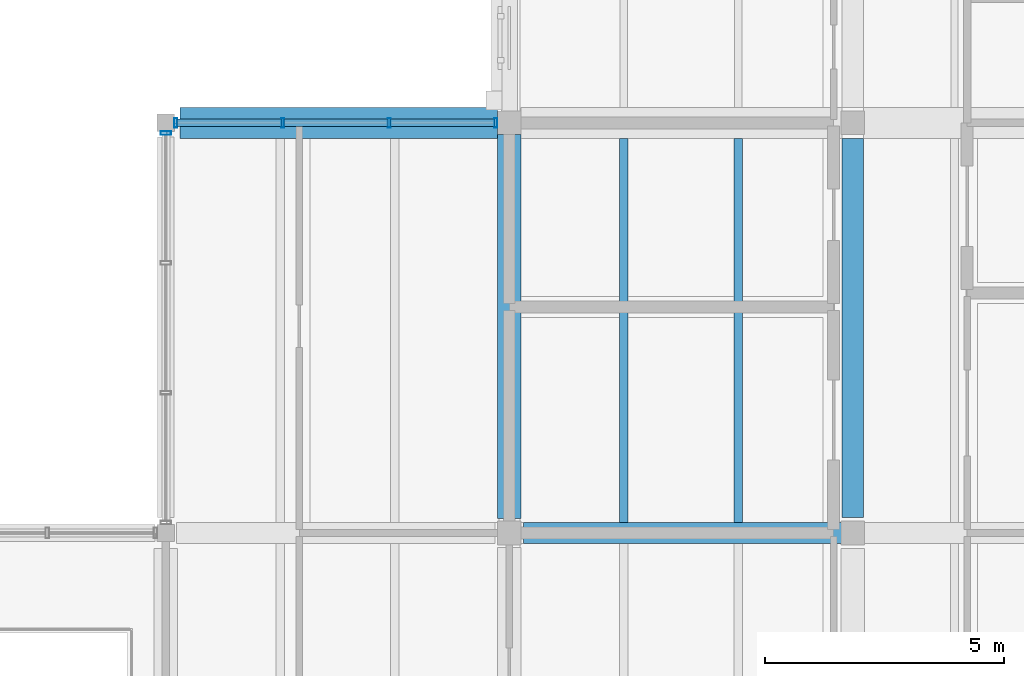
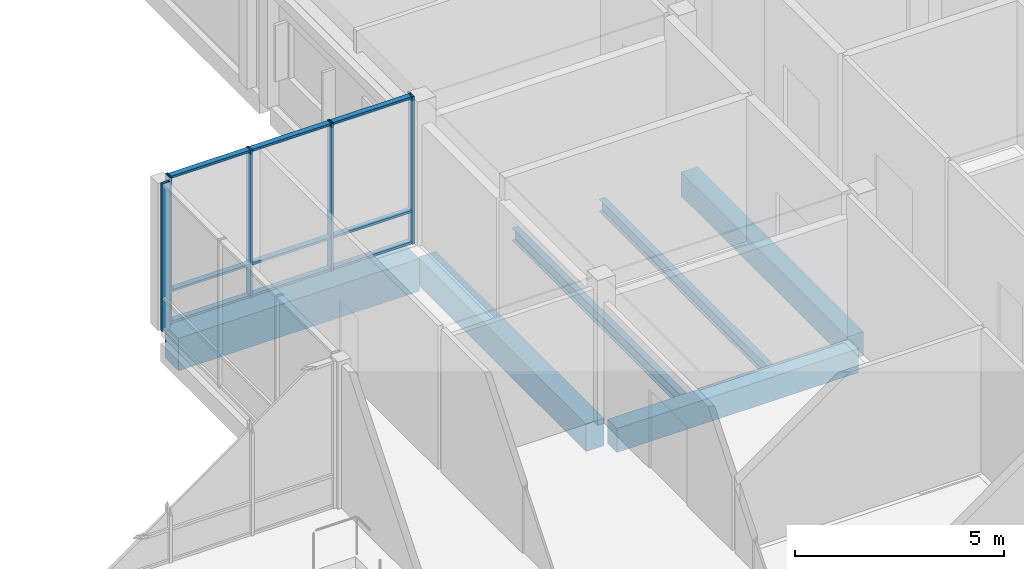
# One storey, part 80 of 146: 14 members, 6 beams, 2 elements without a shape of their own.
"""IFC4 building model written with IfcOpenShell, lengths in metres."""

from ifc_helpers import new_model, si_unit, direction, frame, origin, origin_2d, place, context, subcontext, project, spatial, rectangle, hollow_rectangle, i_section, extrude, material, material_profile, profile_set, type_object, element, aggregate, save


model = new_model("IFC4")

# Units and contexts
model_context = context("Model", 3, precision=1e-05, world=origin(), true_north=direction((0.0, 1.0)))
body_context = subcontext(model_context, "Body", "Model", "MODEL_VIEW")
ifc_project = project(units=[si_unit("LENGTHUNIT", "METRE"), si_unit("AREAUNIT", "SQUARE_METRE"), si_unit("VOLUMEUNIT", "CUBIC_METRE"), si_unit("PLANEANGLEUNIT", "RADIAN"), si_unit("MASSUNIT", "GRAM", prefix="KILO")], contexts=[model_context])

# Site, building, storey
site_placement = place(None, origin())
site = spatial("IfcSite", under=ifc_project, at=site_placement, CompositionType="ELEMENT")
building_placement = place(site_placement, origin())
building = spatial("IfcBuilding", under=site, at=building_placement, Name="Hawrajan Terrace Health Centre", CompositionType="ELEMENT")
storey_placement = place(building_placement, frame((0.0, 0.0, 4.5)))
storey = spatial("IfcBuildingStorey", under=building, at=storey_placement, Name="L01", CompositionType="ELEMENT", Elevation=4.5)

# Curtain wall, members
ifc_material_1 = material(Name="Anodized bronze aluminium and low-E solar glazing", Category="aluminium")
curtain_wall_type_1 = type_object("IfcCurtainWallType", Name="CW_CourtNS_SeriesC1", PredefinedType="USERDEFINED", material=ifc_material_1)
curtain_wall_1_placement = place(storey_placement, origin())
curtain_wall_1 = element("IfcCurtainWall", 1, at=curtain_wall_1_placement, inside=storey, type_object=curtain_wall_type_1, Name="Curtain wall CW-L01-103", ObjectType="UNITISED CURTAIN WALL", PredefinedType="USERDEFINED")
ifc_material_2 = material(Name="Anodized bronze aluminium 6063-T6", Category="aluminium")
ifc_material_profile_1 = material_profile(ifc_material_2, hollow_rectangle(XDim=0.06494140625, YDim=0.199951171875, WallThickness=0.00439453125, at=origin_2d()), Name="CW MUL 65x200")
ifc_profile_set_1 = profile_set([ifc_material_profile_1], Name="Anodized bronze aluminium 6063-T6")
member_type_1 = type_object("IfcMemberType", Name="CWMullion_65x200", PredefinedType="MULLION", material=ifc_profile_set_1)
member_1_placement = place(storey_placement, frame((108.012451171875, 45.39990234375, -0.0048828125), z_axis=(0.0, 0.0, 1.0), x_axis=(1.0, 0.0, 0.0)))
member_1 = element("IfcMember", 2, at=member_1_placement, type_object=member_type_1, Name="Mullion CW-L01-103-M1", PredefinedType="MULLION", context=body_context, shape_type="SweptSolid", body=[
    extrude(hollow_rectangle(XDim=0.06494140625, YDim=0.199951171875, WallThickness=0.00439453125, at=origin_2d()), origin(), (0.0, 0.0, 1.0), 4.309814453125),
])
member_2_placement = place(storey_placement, frame((110.24755859375, 45.39990234375, -0.0048828125), z_axis=(0.0, 0.0, 1.0), x_axis=(1.0, 0.0, 0.0)))
member_2 = element("IfcMember", 3, at=member_2_placement, type_object=member_type_1, Name="Mullion CW-L01-103-M2", PredefinedType="MULLION", context=body_context, shape_type="SweptSolid", body=[
    extrude(hollow_rectangle(XDim=0.06494140625, YDim=0.199951171875, WallThickness=0.00439453125, at=origin_2d()), origin(), (0.0, 0.0, 1.0), 4.309814453125),
])
member_3_placement = place(storey_placement, frame((112.482421875, 45.39990234375, -0.0048828125), z_axis=(0.0, 0.0, 1.0), x_axis=(1.0, 0.0, 0.0)))
member_3 = element("IfcMember", 4, at=member_3_placement, type_object=member_type_1, Name="Mullion CW-L01-103-M3", PredefinedType="MULLION", context=body_context, shape_type="SweptSolid", body=[
    extrude(hollow_rectangle(XDim=0.06494140625, YDim=0.199951171875, WallThickness=0.00439453125, at=origin_2d()), origin(), (0.0, 0.0, 1.0), 4.309814453125),
])
member_4_placement = place(storey_placement, frame((114.717529296875, 45.39990234375, -0.0048828125), z_axis=(0.0, 0.0, 1.0), x_axis=(1.0, 0.0, 0.0)))
member_4 = element("IfcMember", 5, at=member_4_placement, type_object=member_type_1, Name="Mullion CW-L01-103-M4", PredefinedType="MULLION", context=body_context, shape_type="SweptSolid", body=[
    extrude(hollow_rectangle(XDim=0.06494140625, YDim=0.199951171875, WallThickness=0.00439453125, at=origin_2d()), origin(), (0.0, 0.0, 1.0), 4.309814453125),
])

# Curtain wall, member
curtain_wall_type_2 = type_object("IfcCurtainWallType", Name="CW_CourtNS_SeriesC2", PredefinedType="USERDEFINED", material=ifc_material_1)
curtain_wall_2_placement = place(storey_placement, origin())
curtain_wall_2 = element("IfcCurtainWall", 6, at=curtain_wall_2_placement, inside=storey, type_object=curtain_wall_type_2, Name="Curtain wall CW-L01-104", ObjectType="UNITISED CURTAIN WALL", PredefinedType="USERDEFINED")
ifc_material_profile_2 = material_profile(ifc_material_2, hollow_rectangle(XDim=0.074951171875, YDim=0.219970703125, WallThickness=0.0048828125, at=origin_2d()), Name="CW MUL 75x220")
ifc_profile_set_2 = profile_set([ifc_material_profile_2], Name="Anodized bronze aluminium 6063-T6")
member_type_2 = type_object("IfcMemberType", Name="CWMullion_75x220", PredefinedType="MULLION", material=ifc_profile_set_2)
member_5_placement = place(storey_placement, frame((107.800048828125, 45.1826171875, -0.0048828125), z_axis=(0.0, 0.0, 1.0), x_axis=(0.0, 1.0, 0.0)))
member_5 = element("IfcMember", 7, at=member_5_placement, type_object=member_type_2, Name="Mullion CW-L01-104-M4", PredefinedType="MULLION", context=body_context, shape_type="SweptSolid", body=[
    extrude(hollow_rectangle(XDim=0.074951171875, YDim=0.219970703125, WallThickness=0.0048828125, at=origin_2d()), origin(), (0.0, 0.0, 1.0), 4.309814453125),
])
aggregate(curtain_wall_2, [member_5])

# Member
ifc_material_profile_3 = material_profile(ifc_material_2, hollow_rectangle(XDim=0.06494140625, YDim=0.14990234375, WallThickness=0.00390625, at=origin_2d()), Name="CW TRN 65x150")
ifc_profile_set_3 = profile_set([ifc_material_profile_3], Name="Anodized bronze aluminium 6063-T6")
member_type_3 = type_object("IfcMemberType", Name="CWTransom_65x150", PredefinedType="USERDEFINED", material=ifc_profile_set_3)
member_6_placement = place(storey_placement, frame((108.0390625, 45.39990234375, 0.032470703125), z_axis=(1.0, 0.0, 0.0), x_axis=(0.0, 0.0, 1.0)))
member_6 = element("IfcMember", 8, at=member_6_placement, type_object=member_type_3, Name="Transom CW-L01-103-T1-1", ObjectType="TRANSOM", PredefinedType="USERDEFINED", context=body_context, shape_type="SweptSolid", body=[
    extrude(hollow_rectangle(XDim=0.06494140625, YDim=0.14990234375, WallThickness=0.00390625, at=origin_2d()), origin(), (0.0, 0.0, 1.0), 2.181884765625),
])

member_7_placement = place(storey_placement, frame((108.0390625, 45.39990234375, 0.949951171875), z_axis=(1.0, 0.0, 0.0), x_axis=(0.0, 0.0, 1.0)))
member_7 = element("IfcMember", 9, at=member_7_placement, type_object=member_type_3, Name="Transom CW-L01-103-T1-2", ObjectType="TRANSOM", PredefinedType="USERDEFINED", context=body_context, shape_type="SweptSolid", body=[
    extrude(hollow_rectangle(XDim=0.06494140625, YDim=0.14990234375, WallThickness=0.00390625, at=origin_2d()), origin(), (0.0, 0.0, 1.0), 2.181884765625),
])

member_8_placement = place(storey_placement, frame((108.0390625, 45.39990234375, 4.267578125), z_axis=(1.0, 0.0, 0.0), x_axis=(0.0, 0.0, 1.0)))
member_8 = element("IfcMember", 10, at=member_8_placement, type_object=member_type_3, Name="Transom CW-L01-103-T1-3", ObjectType="TRANSOM", PredefinedType="USERDEFINED", context=body_context, shape_type="SweptSolid", body=[
    extrude(hollow_rectangle(XDim=0.06494140625, YDim=0.14990234375, WallThickness=0.00390625, at=origin_2d()), origin(), (0.0, 0.0, 1.0), 2.181884765625),
])

member_9_placement = place(storey_placement, frame((110.27392578125, 45.39990234375, 0.032470703125), z_axis=(1.0, 0.0, 0.0), x_axis=(0.0, 0.0, 1.0)))
member_9 = element("IfcMember", 11, at=member_9_placement, type_object=member_type_3, Name="Transom CW-L01-103-T2-1", ObjectType="TRANSOM", PredefinedType="USERDEFINED", context=body_context, shape_type="SweptSolid", body=[
    extrude(hollow_rectangle(XDim=0.06494140625, YDim=0.14990234375, WallThickness=0.00390625, at=origin_2d()), origin(), (0.0, 0.0, 1.0), 2.18212890625),
])

member_10_placement = place(storey_placement, frame((110.27392578125, 45.39990234375, 0.949951171875), z_axis=(1.0, 0.0, 0.0), x_axis=(0.0, 0.0, 1.0)))
member_10 = element("IfcMember", 12, at=member_10_placement, type_object=member_type_3, Name="Transom CW-L01-103-T2-2", ObjectType="TRANSOM", PredefinedType="USERDEFINED", context=body_context, shape_type="SweptSolid", body=[
    extrude(hollow_rectangle(XDim=0.06494140625, YDim=0.14990234375, WallThickness=0.00390625, at=origin_2d()), origin(), (0.0, 0.0, 1.0), 2.18212890625),
])

member_11_placement = place(storey_placement, frame((110.27392578125, 45.39990234375, 4.267578125), z_axis=(1.0, 0.0, 0.0), x_axis=(0.0, 0.0, 1.0)))
member_11 = element("IfcMember", 13, at=member_11_placement, type_object=member_type_3, Name="Transom CW-L01-103-T2-3", ObjectType="TRANSOM", PredefinedType="USERDEFINED", context=body_context, shape_type="SweptSolid", body=[
    extrude(hollow_rectangle(XDim=0.06494140625, YDim=0.14990234375, WallThickness=0.00390625, at=origin_2d()), origin(), (0.0, 0.0, 1.0), 2.18212890625),
])

member_12_placement = place(storey_placement, frame((112.509033203125, 45.39990234375, 0.032470703125), z_axis=(1.0, 0.0, 0.0), x_axis=(0.0, 0.0, 1.0)))
member_12 = element("IfcMember", 14, at=member_12_placement, type_object=member_type_3, Name="Transom CW-L01-103-T3-1", ObjectType="TRANSOM", PredefinedType="USERDEFINED", context=body_context, shape_type="SweptSolid", body=[
    extrude(hollow_rectangle(XDim=0.06494140625, YDim=0.14990234375, WallThickness=0.00390625, at=origin_2d()), origin(), (0.0, 0.0, 1.0), 2.181884765625),
])

member_13_placement = place(storey_placement, frame((112.509033203125, 45.39990234375, 0.949951171875), z_axis=(1.0, 0.0, 0.0), x_axis=(0.0, 0.0, 1.0)))
member_13 = element("IfcMember", 15, at=member_13_placement, type_object=member_type_3, Name="Transom CW-L01-103-T3-2", ObjectType="TRANSOM", PredefinedType="USERDEFINED", context=body_context, shape_type="SweptSolid", body=[
    extrude(hollow_rectangle(XDim=0.06494140625, YDim=0.14990234375, WallThickness=0.00390625, at=origin_2d()), origin(), (0.0, 0.0, 1.0), 2.181884765625),
])

member_14_placement = place(storey_placement, frame((112.509033203125, 45.39990234375, 4.267578125), z_axis=(1.0, 0.0, 0.0), x_axis=(0.0, 0.0, 1.0)))
member_14 = element("IfcMember", 16, at=member_14_placement, type_object=member_type_3, Name="Transom CW-L01-103-T3-3", ObjectType="TRANSOM", PredefinedType="USERDEFINED", context=body_context, shape_type="SweptSolid", body=[
    extrude(hollow_rectangle(XDim=0.06494140625, YDim=0.14990234375, WallThickness=0.00390625, at=origin_2d()), origin(), (0.0, 0.0, 1.0), 2.181884765625),
])

aggregate(curtain_wall_1, [member_1, member_2, member_3, member_4, member_6, member_7, member_8, member_9, member_10, member_11, member_12, member_13, member_14])

# Beams
ifc_material_3 = material(Name="Concrete C40/50", Category="concrete")
ifc_material_profile_4 = material_profile(ifc_material_3, rectangle(XDim=0.449951171875, YDim=0.699951171875, at=origin_2d()), Name="RC BM 450x700")
ifc_profile_set_4 = profile_set([ifc_material_profile_4], Name="Concrete C40/50")
beam_type_1 = type_object("IfcBeamType", Name="RCGirder_450x700", PredefinedType="BEAM", material=ifc_profile_set_4)
beam_1_placement = place(storey_placement, frame((115.300048828125, 36.800048828125, -0.64990234375), z_axis=(1.0, 0.0, 0.0), x_axis=(0.0, 1.0, 0.0)))
element("IfcBeam", 17, at=beam_1_placement, inside=storey, type_object=beam_type_1, Name="Beam BM-X-L01-C-15-Y5", PredefinedType="BEAM", context=body_context, shape_type="SweptSolid", body=[
    extrude(rectangle(XDim=0.449951171875, YDim=0.699951171875, at=origin_2d()), origin(), (0.0, 0.0, 1.0), 6.675048828125),
])
beam_2_placement = place(storey_placement, frame((122.199951171875, 37.125, -0.64990234375), z_axis=(0.0, 1.0, 0.0), x_axis=(-1.0, 0.0, 0.0)))
element("IfcBeam", 18, at=beam_2_placement, inside=storey, type_object=beam_type_1, Name="Beam BM-Y-L01-C-X16-5", PredefinedType="BEAM", context=body_context, shape_type="SweptSolid", body=[
    extrude(rectangle(XDim=0.449951171875, YDim=0.699951171875, at=origin_2d()), origin(), (0.0, 0.0, 1.0), 7.949951171875),
])
ifc_material_profile_5 = material_profile(ifc_material_3, rectangle(XDim=0.5, YDim=0.800048828125, at=origin_2d()), Name="RC BM 500x800")
ifc_profile_set_5 = profile_set([ifc_material_profile_5], Name="Concrete C40/50")
beam_type_2 = type_object("IfcBeamType", Name="RCGirder_500x800", PredefinedType="BEAM", material=ifc_profile_set_5)
beam_3_placement = place(storey_placement, frame((115.0, 37.10009765625, -0.699951171875), z_axis=(0.0, 1.0, 0.0), x_axis=(-1.0, 0.0, 0.0)))
element("IfcBeam", 19, at=beam_3_placement, inside=storey, type_object=beam_type_2, Name="Beam BM-Y-L01-C-X15-5", PredefinedType="BEAM", context=body_context, shape_type="SweptSolid", body=[
    extrude(rectangle(XDim=0.5, YDim=0.800048828125, at=origin_2d()), origin(), (0.0, 0.0, 1.0), 8.0498046875),
])
ifc_material_profile_6 = material_profile(ifc_material_3, rectangle(XDim=0.64990234375, YDim=0.949951171875, at=origin_2d()), Name="RC TG 650x950")
ifc_profile_set_6 = profile_set([ifc_material_profile_6], Name="Concrete C40/50")
beam_type_3 = type_object("IfcBeamType", Name="RCTransferGirder_650x950", PredefinedType="BEAM", material=ifc_profile_set_6)
beam_4_placement = place(storey_placement, frame((108.10009765625, 45.39990234375, -0.77490234375), z_axis=(1.0, 0.0, 0.0), x_axis=(0.0, 1.0, 0.0)))
element("IfcBeam", 20, at=beam_4_placement, inside=storey, type_object=beam_type_3, Name="Beam BM-X-L01-C-14-Y6", PredefinedType="BEAM", context=body_context, shape_type="SweptSolid", body=[
    extrude(rectangle(XDim=0.64990234375, YDim=0.949951171875, at=origin_2d()), origin(), (0.0, 0.0, 1.0), 6.64990234375),
])
ifc_material_4 = material(Name="Steel S355", Category="steel")
ifc_material_profile_7 = material_profile(ifc_material_4, i_section(OverallWidth=0.169921875, OverallDepth=0.360107421875, WebThickness=0.008056640625, FlangeThickness=0.0126953125, FilletRadius=0.01806640625, at=origin_2d()), Name="IPE 360")
ifc_profile_set_7 = profile_set([ifc_material_profile_7], Name="Steel S355")
beam_type_4 = type_object("IfcBeamType", Name="SteelBeam_IPE360", PredefinedType="BEAM", material=ifc_profile_set_7)
for number, where, z_axis, x_axis, name in (
    (21, (117.39990234375, 37.02490234375, -0.47998046875), (0.0, 1.0, 0.0), (-1.0, 0.0, 0.0), "Secondary joist JST-L01-C-15-5-1"),
    (22, (119.800048828125, 37.02490234375, -0.47998046875), (0.0, 1.0, 0.0), (-1.0, 0.0, 0.0), "Secondary joist JST-L01-C-15-5-2"),
):
    element("IfcBeam", number, at=place(storey_placement, frame(where, z_axis=z_axis, x_axis=x_axis)), inside=storey, type_object=beam_type_4, Name=name, PredefinedType="BEAM", context=body_context, shape_type="SweptSolid", body=[
        extrude(i_section(OverallWidth=0.169921875, OverallDepth=0.360107421875, WebThickness=0.008056640625, FlangeThickness=0.0126953125, FilletRadius=0.01806640625, at=origin_2d()), origin(), (0.0, 0.0, 1.0), 8.050048828125),
    ])

save(model, "model.ifc")
